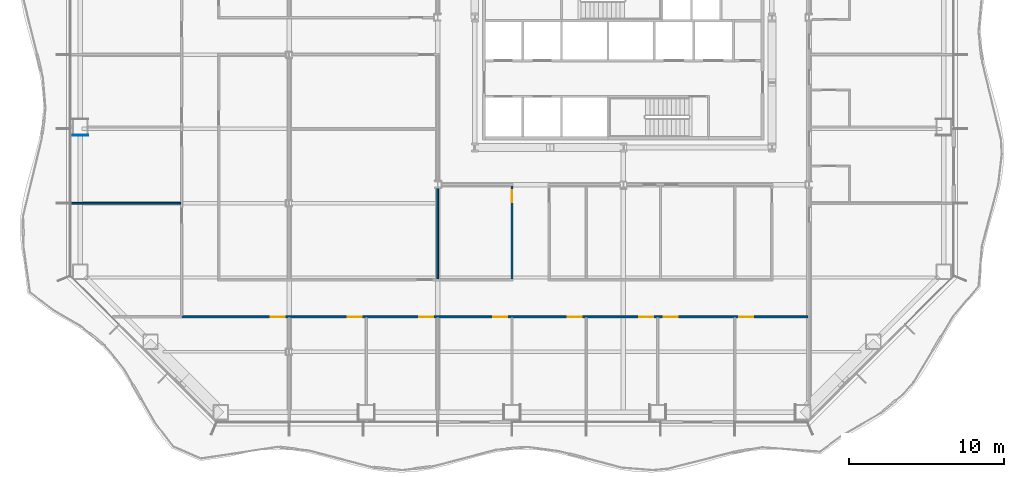
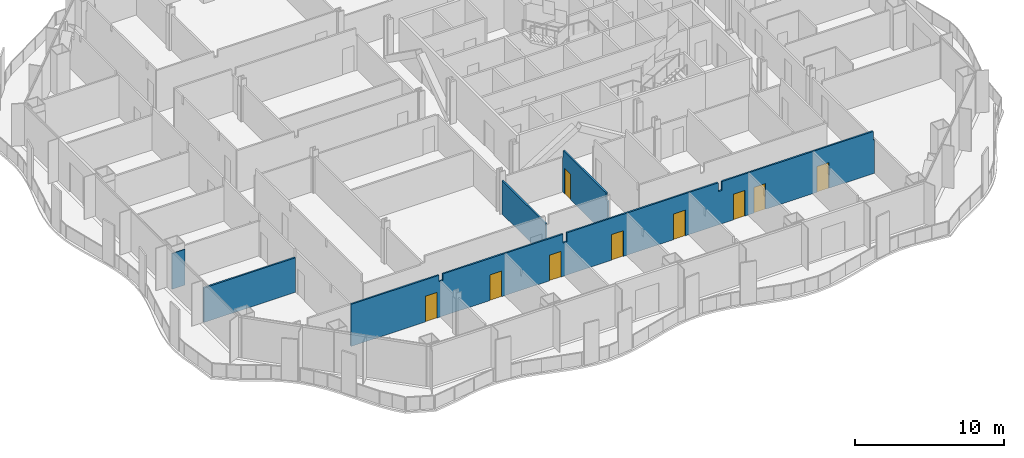
# One storey, part 7 of 21: 9 doors, 5 walls, 9 openings.
"""IFC4 building model written with IfcOpenShell, lengths in metres."""

from ifc_helpers import new_model, si_unit, direction, frame, frame_2d, origin, place, context, subcontext, project, spatial, polyline, rectangle, outline, extrude, material, layer, layer_set, type_object, element, fill, save


model = new_model("IFC4")

# Units and contexts
model_context = context("Model", 3, precision=1e-05, world=origin(), true_north=direction((0.0, 1.0)))
body_context = subcontext(model_context, "Body", "Model", "MODEL_VIEW")
ifc_project = project(units=[si_unit("LENGTHUNIT", "METRE"), si_unit("AREAUNIT", "SQUARE_METRE"), si_unit("VOLUMEUNIT", "CUBIC_METRE"), si_unit("PLANEANGLEUNIT", "RADIAN"), si_unit("MASSUNIT", "GRAM", prefix="KILO")], contexts=[model_context])

# Site, building, storey
site_placement = place(None, origin())
site = spatial("IfcSite", under=ifc_project, at=site_placement, CompositionType="ELEMENT")
building_placement = place(site_placement, origin())
building = spatial("IfcBuilding", under=site, at=building_placement, Name="Cairn Pilgrim Tower", CompositionType="ELEMENT")
storey_placement = place(building_placement, frame((0.0, 0.0, 58.199951171875)))
storey = spatial("IfcBuildingStorey", under=building, at=storey_placement, Name="L12", CompositionType="ELEMENT", Elevation=58.199951171875)

# Wall, openings, doors
ifc_material_1 = material(Name="Gypsum partition")
ifc_layer_1 = layer(ifc_material_1, 0.125)
ifc_layer_set_1 = layer_set([ifc_layer_1], Name="PARTITION 125 DRYWALL EI 60")
wall_type_1 = type_object("IfcWallType", Name="PARTITION 125 DRYWALL EI 60", PredefinedType="PARTITIONING", material=ifc_layer_set_1)
wall_1_placement = place(storey_placement, frame((-21.35009765625, -16.949951171875, 0.0), z_axis=(0.0, 0.0, 1.0), x_axis=(1.0, 0.0, 0.0)))
wall_1 = element("IfcWall", 1, at=wall_1_placement, inside=storey, type_object=wall_type_1, Name="PARTITION W013", PredefinedType="PARTITIONING", context=body_context, shape_type="SweptSolid", body=[
    extrude(outline(polyline([(0.0, 0.0), (40.487548828125, 0.0), (40.487548828125, 2.72998046875), (40.39990234375, 2.72998046875), (40.39794921875, 3.449951171875), (28.699951171875, 3.449951171875), (28.697998046875, 2.72998046875), (28.39990234375, 2.72998046875), (28.39794921875, 3.449951171875), (16.699951171875, 3.449951171875), (16.697998046875, 2.72998046875), (16.39990234375, 2.72998046875), (16.39794921875, 3.449951171875), (7.10009765625, 3.449951171875), (7.097900390625, 2.929931640625), (6.800048828125, 2.929931640625), (6.798095703125, 3.449951171875), (0.0, 3.449951171875), (0.0, 0.0)])), frame((0.0, 0.0625, 0.0), z_axis=(0.0, -1.0, 0.0), x_axis=(1.0, 0.0, 0.0)), (0.0, 0.0, 1.0), 0.125),
])
opening_1_placement = place(wall_1_placement, frame((5.75, 0.0, 0.0)))
opening_1 = element("IfcOpeningElement", 2, at=opening_1_placement, cuts=wall_1, Name="Opening 1201", PredefinedType="OPENING", context=body_context, shape_type="SweptSolid", body=[
    extrude(rectangle(XDim=0.89990234375, YDim=2.10009765625, at=frame_2d((0.449951171875, 1.050048828125))), frame((0.0, 0.072509765625, 0.0), z_axis=(0.0, -1.0, 0.0), x_axis=(1.0, 0.0, 0.0)), (0.0, 0.0, 1.0), 0.14501953125),
])
opening_2_placement = place(wall_1_placement, frame((10.736083984375, 0.0, 0.0)))
opening_2 = element("IfcOpeningElement", 3, at=opening_2_placement, cuts=wall_1, Name="Opening 1202", PredefinedType="OPENING", context=body_context, shape_type="SweptSolid", body=[
    extrude(rectangle(XDim=0.89990234375, YDim=2.10009765625, at=frame_2d((0.449951171875, 1.050048828125))), frame((0.0, 0.072509765625, 0.0), z_axis=(0.0, -1.0, 0.0), x_axis=(1.0, 0.0, 0.0)), (0.0, 0.0, 1.0), 0.14501953125),
])
opening_3_placement = place(wall_1_placement, frame((15.35009765625, 0.0, 0.0)))
opening_3 = element("IfcOpeningElement", 4, at=opening_3_placement, cuts=wall_1, Name="Opening 1203", PredefinedType="OPENING", context=body_context, shape_type="SweptSolid", body=[
    extrude(rectangle(XDim=0.89990234375, YDim=2.10009765625, at=frame_2d((0.449951171875, 1.050048828125))), frame((0.0, 0.072509765625, 0.0), z_axis=(0.0, -1.0, 0.0), x_axis=(1.0, 0.0, 0.0)), (0.0, 0.0, 1.0), 0.14501953125),
])
opening_4_placement = place(wall_1_placement, frame((20.14990234375, 0.0, 0.0)))
opening_4 = element("IfcOpeningElement", 5, at=opening_4_placement, cuts=wall_1, Name="Opening 1204", PredefinedType="OPENING", context=body_context, shape_type="SweptSolid", body=[
    extrude(rectangle(XDim=0.89990234375, YDim=2.10009765625, at=frame_2d((0.449951171875, 1.050048828125))), frame((0.0, 0.072509765625, 0.0), z_axis=(0.0, -1.0, 0.0), x_axis=(1.0, 0.0, 0.0)), (0.0, 0.0, 1.0), 0.14501953125),
])
opening_5_placement = place(wall_1_placement, frame((24.949951171875, 0.0, 0.0)))
opening_5 = element("IfcOpeningElement", 6, at=opening_5_placement, cuts=wall_1, Name="Opening 1205", PredefinedType="OPENING", context=body_context, shape_type="SweptSolid", body=[
    extrude(rectangle(XDim=0.89990234375, YDim=2.10009765625, at=frame_2d((0.449951171875, 1.050048828125))), frame((0.0, 0.072509765625, 0.0), z_axis=(0.0, -1.0, 0.0), x_axis=(1.0, 0.0, 0.0)), (0.0, 0.0, 1.0), 0.14501953125),
])
opening_6_placement = place(wall_1_placement, frame((29.56396484375, 0.0, 0.0)))
opening_6 = element("IfcOpeningElement", 7, at=opening_6_placement, cuts=wall_1, Name="Opening 1206", PredefinedType="OPENING", context=body_context, shape_type="SweptSolid", body=[
    extrude(rectangle(XDim=0.89990234375, YDim=2.10009765625, at=frame_2d((0.449951171875, 1.050048828125))), frame((0.0, 0.072509765625, 0.0), z_axis=(0.0, -1.0, 0.0), x_axis=(1.0, 0.0, 0.0)), (0.0, 0.0, 1.0), 0.14501953125),
])
opening_7_placement = place(wall_1_placement, frame((31.14990234375, 0.0, 0.0)))
opening_7 = element("IfcOpeningElement", 8, at=opening_7_placement, cuts=wall_1, Name="Opening 1207", PredefinedType="OPENING", context=body_context, shape_type="SweptSolid", body=[
    extrude(rectangle(XDim=0.89990234375, YDim=2.10009765625, at=frame_2d((0.449951171875, 1.050048828125))), frame((0.0, 0.072509765625, 0.0), z_axis=(0.0, -1.0, 0.0), x_axis=(1.0, 0.0, 0.0)), (0.0, 0.0, 1.0), 0.14501953125),
])
opening_8_placement = place(wall_1_placement, frame((36.050048828125, 0.0, 0.0)))
opening_8 = element("IfcOpeningElement", 9, at=opening_8_placement, cuts=wall_1, Name="Opening 1208", PredefinedType="OPENING", context=body_context, shape_type="SweptSolid", body=[
    extrude(rectangle(XDim=0.89990234375, YDim=2.10009765625, at=frame_2d((0.449951171875, 1.050048828125))), frame((0.0, 0.072509765625, 0.0), z_axis=(0.0, -1.0, 0.0), x_axis=(1.0, 0.0, 0.0)), (0.0, 0.0, 1.0), 0.14501953125),
])
ifc_material_2 = material(Name="Steel-faced fire door leaf", Category="steel")
door_type_1 = type_object("IfcDoorType", Name="FIRE DOOR 900x2100 FD30S", OperationType="NOTDEFINED", PredefinedType="DOOR", material=ifc_material_2)
door_1_placement = place(opening_1_placement, frame((0.89990234375, 0.0, 0.0), z_axis=(0.0, 0.0, 1.0), x_axis=(-1.0, 0.0, 0.0)))
door_1 = element("IfcDoor", 10, at=door_1_placement, inside=storey, type_object=door_type_1, Name="DOOR 1201", OperationType="SINGLE_SWING_RIGHT", OverallHeight=2.10009765625, OverallWidth=0.89990234375, PredefinedType="DOOR", context=body_context, shape_type="SweptSolid", body=[
    extrude(rectangle(XDim=0.89990234375, YDim=2.10009765625, at=frame_2d((0.449951171875, 1.050048828125))), frame((0.0, 0.02490234375, 0.0), z_axis=(0.0, -1.0, 0.0), x_axis=(1.0, 0.0, 0.0)), (0.0, 0.0, 1.0), 0.050048828125),
])
fill(opening_1, door_1)
door_2_placement = place(opening_2_placement, frame((0.89990234375, 0.0, 0.0), z_axis=(0.0, 0.0, 1.0), x_axis=(-1.0, 0.0, 0.0)))
door_2 = element("IfcDoor", 11, at=door_2_placement, inside=storey, type_object=door_type_1, Name="DOOR 1202", OperationType="SINGLE_SWING_LEFT", OverallHeight=2.10009765625, OverallWidth=0.89990234375, PredefinedType="DOOR", context=body_context, shape_type="SweptSolid", body=[
    extrude(rectangle(XDim=0.89990234375, YDim=2.10009765625, at=frame_2d((0.449951171875, 1.050048828125))), frame((0.0, 0.02490234375, 0.0), z_axis=(0.0, -1.0, 0.0), x_axis=(1.0, 0.0, 0.0)), (0.0, 0.0, 1.0), 0.050048828125),
])
fill(opening_2, door_2)
door_3_placement = place(opening_3_placement, frame((0.89990234375, 0.0, 0.0), z_axis=(0.0, 0.0, 1.0), x_axis=(-1.0, 0.0, 0.0)))
door_3 = element("IfcDoor", 12, at=door_3_placement, inside=storey, type_object=door_type_1, Name="DOOR 1203", OperationType="SINGLE_SWING_RIGHT", OverallHeight=2.10009765625, OverallWidth=0.89990234375, PredefinedType="DOOR", context=body_context, shape_type="SweptSolid", body=[
    extrude(rectangle(XDim=0.89990234375, YDim=2.10009765625, at=frame_2d((0.449951171875, 1.050048828125))), frame((0.0, 0.02490234375, 0.0), z_axis=(0.0, -1.0, 0.0), x_axis=(1.0, 0.0, 0.0)), (0.0, 0.0, 1.0), 0.050048828125),
])
fill(opening_3, door_3)
door_4_placement = place(opening_4_placement, frame((0.89990234375, 0.0, 0.0), z_axis=(0.0, 0.0, 1.0), x_axis=(-1.0, 0.0, 0.0)))
door_4 = element("IfcDoor", 13, at=door_4_placement, inside=storey, type_object=door_type_1, Name="DOOR 1204", OperationType="SINGLE_SWING_LEFT", OverallHeight=2.10009765625, OverallWidth=0.89990234375, PredefinedType="DOOR", context=body_context, shape_type="SweptSolid", body=[
    extrude(rectangle(XDim=0.89990234375, YDim=2.10009765625, at=frame_2d((0.449951171875, 1.050048828125))), frame((0.0, 0.02490234375, 0.0), z_axis=(0.0, -1.0, 0.0), x_axis=(1.0, 0.0, 0.0)), (0.0, 0.0, 1.0), 0.050048828125),
])
fill(opening_4, door_4)
door_5_placement = place(opening_5_placement, frame((0.89990234375, 0.0, 0.0), z_axis=(0.0, 0.0, 1.0), x_axis=(-1.0, 0.0, 0.0)))
door_5 = element("IfcDoor", 14, at=door_5_placement, inside=storey, type_object=door_type_1, Name="DOOR 1205", OperationType="SINGLE_SWING_RIGHT", OverallHeight=2.10009765625, OverallWidth=0.89990234375, PredefinedType="DOOR", context=body_context, shape_type="SweptSolid", body=[
    extrude(rectangle(XDim=0.89990234375, YDim=2.10009765625, at=frame_2d((0.449951171875, 1.050048828125))), frame((0.0, 0.02490234375, 0.0), z_axis=(0.0, -1.0, 0.0), x_axis=(1.0, 0.0, 0.0)), (0.0, 0.0, 1.0), 0.050048828125),
])
fill(opening_5, door_5)
door_6_placement = place(opening_6_placement, frame((0.89990234375, 0.0, 0.0), z_axis=(0.0, 0.0, 1.0), x_axis=(-1.0, 0.0, 0.0)))
door_6 = element("IfcDoor", 15, at=door_6_placement, inside=storey, type_object=door_type_1, Name="DOOR 1206", OperationType="SINGLE_SWING_LEFT", OverallHeight=2.10009765625, OverallWidth=0.89990234375, PredefinedType="DOOR", context=body_context, shape_type="SweptSolid", body=[
    extrude(rectangle(XDim=0.89990234375, YDim=2.10009765625, at=frame_2d((0.449951171875, 1.050048828125))), frame((0.0, 0.02490234375, 0.0), z_axis=(0.0, -1.0, 0.0), x_axis=(1.0, 0.0, 0.0)), (0.0, 0.0, 1.0), 0.050048828125),
])
fill(opening_6, door_6)
door_7_placement = place(opening_7_placement, frame((0.89990234375, 0.0, 0.0), z_axis=(0.0, 0.0, 1.0), x_axis=(-1.0, 0.0, 0.0)))
door_7 = element("IfcDoor", 16, at=door_7_placement, inside=storey, type_object=door_type_1, Name="DOOR 1207", OperationType="SINGLE_SWING_RIGHT", OverallHeight=2.10009765625, OverallWidth=0.89990234375, PredefinedType="DOOR", context=body_context, shape_type="SweptSolid", body=[
    extrude(rectangle(XDim=0.89990234375, YDim=2.10009765625, at=frame_2d((0.449951171875, 1.050048828125))), frame((0.0, 0.02490234375, 0.0), z_axis=(0.0, -1.0, 0.0), x_axis=(1.0, 0.0, 0.0)), (0.0, 0.0, 1.0), 0.050048828125),
])
fill(opening_7, door_7)
door_8_placement = place(opening_8_placement, frame((0.89990234375, 0.0, 0.0), z_axis=(0.0, 0.0, 1.0), x_axis=(-1.0, 0.0, 0.0)))
door_8 = element("IfcDoor", 17, at=door_8_placement, inside=storey, type_object=door_type_1, Name="DOOR 1208", OperationType="SINGLE_SWING_LEFT", OverallHeight=2.10009765625, OverallWidth=0.89990234375, PredefinedType="DOOR", context=body_context, shape_type="SweptSolid", body=[
    extrude(rectangle(XDim=0.89990234375, YDim=2.10009765625, at=frame_2d((0.449951171875, 1.050048828125))), frame((0.0, 0.02490234375, 0.0), z_axis=(0.0, -1.0, 0.0), x_axis=(1.0, 0.0, 0.0)), (0.0, 0.0, 1.0), 0.050048828125),
])
fill(opening_8, door_8)

# Wall
wall_2_placement = place(storey_placement, frame((-4.800048828125, -14.487548828125, 0.0), z_axis=(0.0, 0.0, 1.0), x_axis=(0.0, 1.0, 0.0)))
element("IfcWall", 18, at=wall_2_placement, inside=storey, type_object=wall_type_1, Name="PARTITION W020", PredefinedType="PARTITIONING", context=body_context, shape_type="SweptSolid", body=[
    extrude(rectangle(XDim=5.8505859375, YDim=0.125, at=frame_2d((2.92529296875, 0.0))), origin(), (0.0, 0.0, 1.0), 2.72998046875),
])

# Wall, opening, door
wall_3_placement = place(storey_placement, frame((0.0, -14.487548828125, 0.0), z_axis=(0.0, 0.0, 1.0), x_axis=(0.0, 1.0, 0.0)))
wall_3 = element("IfcWall", 19, at=wall_3_placement, inside=storey, type_object=wall_type_1, Name="PARTITION W021", PredefinedType="PARTITIONING", context=body_context, shape_type="SweptSolid", body=[
    extrude(outline(polyline([(0.0, 0.0), (6.025146484375, 0.0), (6.02490234375, 2.830078125), (5.9375, 2.830078125), (5.935546875, 3.449951171875), (0.1923828125, 3.449951171875), (0.1904296875, 2.880126953125), (0.0, 2.880126953125), (0.0, 0.0)])), frame((0.0, 0.0625, 0.0), z_axis=(0.0, -1.0, 0.0), x_axis=(1.0, 0.0, 0.0)), (0.0, 0.0, 1.0), 0.125),
])
opening_9_placement = place(wall_3_placement, frame((4.9375, 0.0, 0.0)))
opening_9 = element("IfcOpeningElement", 20, at=opening_9_placement, cuts=wall_3, Name="Opening 1234", PredefinedType="OPENING", context=body_context, shape_type="SweptSolid", body=[
    extrude(rectangle(XDim=0.800048828125, YDim=2.10009765625, at=frame_2d((0.39990234375, 1.050048828125))), frame((0.0, 0.072509765625, 0.0), z_axis=(0.0, -1.0, 0.0), x_axis=(1.0, 0.0, 0.0)), (0.0, 0.0, 1.0), 0.14501953125),
])
door_type_2 = type_object("IfcDoorType", Name="FIRE DOOR 800x2100 FD30S", OperationType="NOTDEFINED", PredefinedType="DOOR", material=ifc_material_2)
door_9_placement = place(opening_9_placement, origin())
door_9 = element("IfcDoor", 21, at=door_9_placement, inside=storey, type_object=door_type_2, Name="DOOR 1234", OperationType="SINGLE_SWING_LEFT", OverallHeight=2.10009765625, OverallWidth=0.800048828125, PredefinedType="DOOR", context=body_context, shape_type="SweptSolid", body=[
    extrude(rectangle(XDim=0.800048828125, YDim=2.10009765625, at=frame_2d((0.39990234375, 1.050048828125))), frame((0.0, 0.02490234375, 0.0), z_axis=(0.0, -1.0, 0.0), x_axis=(1.0, 0.0, 0.0)), (0.0, 0.0, 1.0), 0.050048828125),
])
fill(opening_9, door_9)

# Walls
wall_4_placement = place(storey_placement, frame((-28.489990234375, -9.60009765625, 0.0), z_axis=(0.0, 0.0, 1.0), x_axis=(1.0, 0.0, 0.0)))
element("IfcWall", 22, at=wall_4_placement, inside=storey, type_object=wall_type_1, Name="PARTITION W027", PredefinedType="PARTITIONING", context=body_context, shape_type="SweptSolid", body=[
    extrude(rectangle(XDim=7.077392578125, YDim=0.125, at=frame_2d((3.53857421875, 0.0))), origin(), (0.0, 0.0, 1.0), 2.830078125),
])
ifc_layer_2 = layer(ifc_material_1, 0.050048828125)
ifc_layer_set_2 = layer_set([ifc_layer_2], Name="PARTITION 50 DRYWALL EI 60")
wall_type_2 = type_object("IfcWallType", Name="PARTITION 50 DRYWALL EI 60", PredefinedType="PARTITIONING", material=ifc_layer_set_2)
wall_5_placement = place(storey_placement, frame((-28.39990234375, -5.20068359375, 0.0), z_axis=(0.0, 0.0, 1.0), x_axis=(1.0, 0.0, 0.0)))
element("IfcWall", 23, at=wall_5_placement, inside=storey, type_object=wall_type_2, Name="COLUMN CASING WC18", PredefinedType="PARTITIONING", context=body_context, shape_type="SweptSolid", body=[
    extrude(rectangle(XDim=1.0, YDim=0.050048828125, at=frame_2d((0.5, 0.0))), origin(), (0.0, 0.0, 1.0), 2.929931640625),
])

save(model, "model.ifc")
